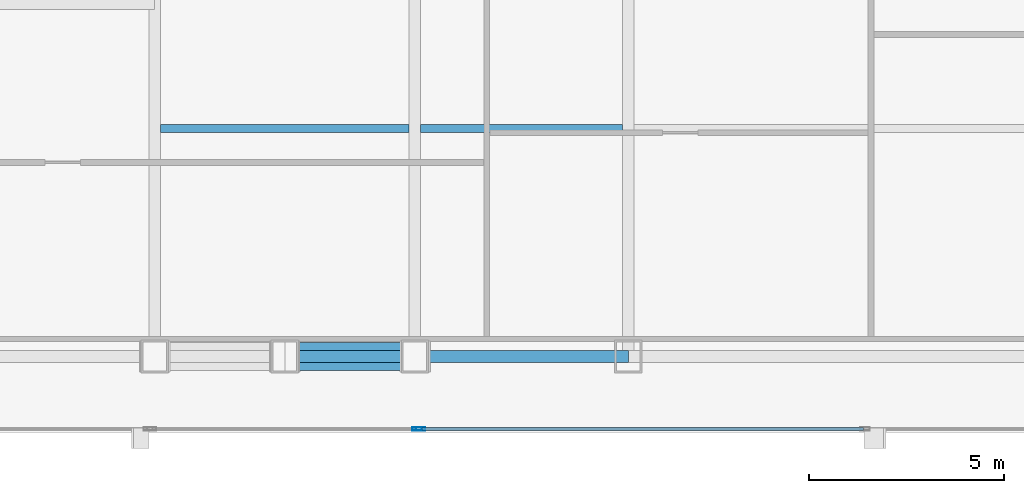
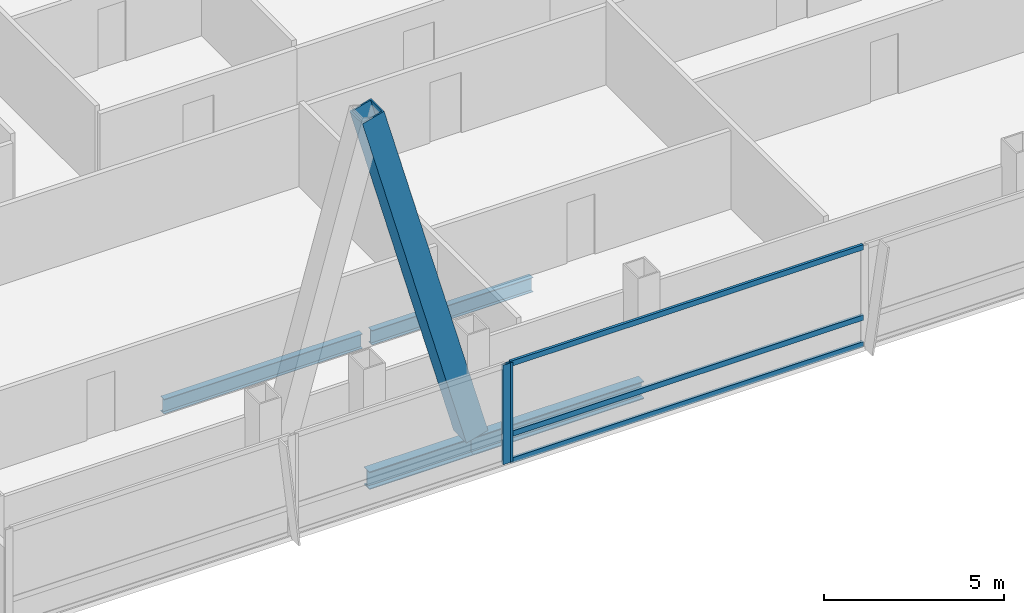
# One storey, part 8 of 31: 6 members, 4 beams, 2 elements without a shape of their own.
"""IFC4 building model written with IfcOpenShell, lengths in metres."""

from ifc_helpers import new_model, si_unit, direction, frame, origin, origin_2d, place, context, subcontext, project, spatial, hollow_rectangle, i_section, extrude, material, material_profile, profile_set, type_object, element, aggregate, save


model = new_model("IFC4")

# Units and contexts
model_context = context("Model", 3, precision=1e-05, world=origin(), true_north=direction((0.0, 1.0)))
body_context = subcontext(model_context, "Body", "Model", "MODEL_VIEW")
ifc_project = project(units=[si_unit("LENGTHUNIT", "METRE"), si_unit("AREAUNIT", "SQUARE_METRE"), si_unit("VOLUMEUNIT", "CUBIC_METRE"), si_unit("PLANEANGLEUNIT", "RADIAN"), si_unit("MASSUNIT", "GRAM", prefix="KILO")], contexts=[model_context])

# Site, building, storey
site_placement = place(None, origin())
site = spatial("IfcSite", under=ifc_project, at=site_placement, CompositionType="ELEMENT")
building_placement = place(site_placement, origin())
building = spatial("IfcBuilding", under=site, at=building_placement, Name="Khoronbel Lancet Exchange", CompositionType="ELEMENT")
storey_placement = place(building_placement, frame((0.0, 0.0, 168.60009765625)))
storey = spatial("IfcBuildingStorey", under=building, at=storey_placement, Name="L42", CompositionType="ELEMENT", Elevation=168.60009765625)

# Beams
ifc_material_1 = material(Name="Steel S355", Category="steel")
ifc_material_profile_1 = material_profile(ifc_material_1, i_section(OverallWidth=0.199951171875, OverallDepth=0.5, WebThickness=0.01025390625, FlangeThickness=0.01611328125, at=origin_2d()), Name="IPE 500")
ifc_profile_set_1 = profile_set([ifc_material_profile_1], Name="Steel S355")
beam_type_1 = type_object("IfcBeamType", Name="BM-BJ3", PredefinedType="JOIST", material=ifc_profile_set_1)
beam_1_placement = place(storey_placement, frame((18.375, 16.0, -0.41015625), z_axis=(1.0, 0.0, 0.0), x_axis=(0.0, 1.0, 0.0)))
element("IfcBeam", 1, at=beam_1_placement, inside=storey, type_object=beam_type_1, Name="Level L42 secondary composite joist J01", PredefinedType="JOIST", context=body_context, shape_type="SweptSolid", body=[
    extrude(i_section(OverallWidth=0.199951171875, OverallDepth=0.5, WebThickness=0.01025390625, FlangeThickness=0.01611328125, at=origin_2d()), origin(), (0.0, 0.0, 1.0), 6.375),
])
beam_2_placement = place(storey_placement, frame((25.050048828125, 16.0, -0.41015625), z_axis=(1.0, 0.0, 0.0), x_axis=(0.0, 1.0, 0.0)))
element("IfcBeam", 2, at=beam_2_placement, inside=storey, type_object=beam_type_1, Name="Level L42 secondary composite joist J02", PredefinedType="JOIST", context=body_context, shape_type="SweptSolid", body=[
    extrude(i_section(OverallWidth=0.199951171875, OverallDepth=0.5, WebThickness=0.01025390625, FlangeThickness=0.01611328125, at=origin_2d()), origin(), (0.0, 0.0, 1.0), 5.175048828125),
])
ifc_material_profile_2 = material_profile(ifc_material_1, i_section(OverallWidth=0.300048828125, OverallDepth=0.60009765625, WebThickness=0.015380859375, FlangeThickness=0.030029296875, at=origin_2d()), Name="HEB 600")
ifc_profile_set_2 = profile_set([ifc_material_profile_2], Name="Steel S355")
beam_type_2 = type_object("IfcBeamType", Name="BM-BSP2", PredefinedType="SPANDREL", material=ifc_profile_set_2)
beam_3_placement = place(storey_placement, frame((21.5625, 10.14990234375, -0.460205078125), z_axis=(1.0, 0.0, 0.0), x_axis=(0.0, 1.0, 0.0)))
element("IfcBeam", 3, at=beam_3_placement, inside=storey, type_object=beam_type_2, Name="Level L42 perimeter spandrel beam SP03", PredefinedType="SPANDREL", context=body_context, shape_type="SweptSolid", body=[
    extrude(i_section(OverallWidth=0.300048828125, OverallDepth=0.60009765625, WebThickness=0.015380859375, FlangeThickness=0.030029296875, at=origin_2d()), origin(), (0.0, 0.0, 1.0), 3.33740234375),
])
beam_4_placement = place(storey_placement, frame((24.89990234375, 10.14990234375, -0.460205078125), z_axis=(1.0, 0.0, 0.0), x_axis=(0.0, 1.0, 0.0)))
element("IfcBeam", 4, at=beam_4_placement, inside=storey, type_object=beam_type_2, Name="Level L42 perimeter spandrel beam SP04", PredefinedType="SPANDREL", context=body_context, shape_type="SweptSolid", body=[
    extrude(i_section(OverallWidth=0.300048828125, OverallDepth=0.60009765625, WebThickness=0.015380859375, FlangeThickness=0.030029296875, at=origin_2d()), origin(), (0.0, 0.0, 1.0), 5.47509765625),
])

# Curtain wall, member
ifc_material_2 = material(Name="Low-E Solar Control Insulating Glass", Category="glass")
curtain_wall_type = type_object("IfcCurtainWallType", Name="CW-3", PredefinedType="NOTDEFINED", material=ifc_material_2)
curtain_wall_1_placement = place(storey_placement, origin())
curtain_wall_1 = element("IfcCurtainWall", 5, at=curtain_wall_1_placement, inside=storey, type_object=curtain_wall_type, Name="Unitised curtain wall CW-L42-SWB", PredefinedType="NOTDEFINED")
ifc_material_3 = material(Name="Bronze-Anodised Aluminium 6063-T6", Category="aluminium")
ifc_material_profile_3 = material_profile(ifc_material_3, hollow_rectangle(XDim=0.0849609375, YDim=0.239990234375, WallThickness=0.006103515625, at=origin_2d()), Name="ALU MULLION 85x240")
ifc_profile_set_3 = profile_set([ifc_material_profile_3], Name="Bronze-Anodised Aluminium 6063-T6")
member_type_1 = type_object("IfcMemberType", Name="MEM-CWM1", PredefinedType="MULLION", material=ifc_profile_set_3)
member_1_placement = place(storey_placement, frame((24.95751953125, 8.2900390625, 0.0), z_axis=(0.0, 0.0, 1.0), x_axis=(0.0, 1.0, 0.0)))
member_1 = element("IfcMember", 6, at=member_1_placement, type_object=member_type_1, Name="CW3 mullion 2", PredefinedType="MULLION", context=body_context, shape_type="SweptSolid", body=[
    extrude(hollow_rectangle(XDim=0.0849609375, YDim=0.239990234375, WallThickness=0.006103515625, at=origin_2d()), origin(), (0.0, 0.0, 1.0), 3.3798828125),
])
aggregate(curtain_wall_1, [member_1])

# Curtain wall, members
curtain_wall_2_placement = place(storey_placement, origin())
curtain_wall_2 = element("IfcCurtainWall", 7, at=curtain_wall_2_placement, inside=storey, type_object=curtain_wall_type, Name="Unitised curtain wall CW-L42-SCV", PredefinedType="NOTDEFINED")
member_2_placement = place(storey_placement, frame((25.04248046875, 8.2900390625, 0.0), z_axis=(0.0, 0.0, 1.0), x_axis=(0.0, 1.0, 0.0)))
member_2 = element("IfcMember", 8, at=member_2_placement, type_object=member_type_1, Name="CW3 mullion 1", PredefinedType="MULLION", context=body_context, shape_type="SweptSolid", body=[
    extrude(hollow_rectangle(XDim=0.0849609375, YDim=0.239990234375, WallThickness=0.006103515625, at=origin_2d()), origin(), (0.0, 0.0, 1.0), 3.3798828125),
])
ifc_material_profile_4 = material_profile(ifc_material_3, hollow_rectangle(XDim=0.0849609375, YDim=0.179931640625, WallThickness=0.0048828125, at=origin_2d()), Name="ALU TRANSOM 85x180")
ifc_profile_set_4 = profile_set([ifc_material_profile_4], Name="Bronze-Anodised Aluminium 6063-T6")
member_type_2 = type_object("IfcMemberType", Name="MEM-CWT1", PredefinedType="USERDEFINED", material=ifc_profile_set_4)
member_3_placement = place(storey_placement, frame((25.0849609375, 8.2900390625, 0.04248046875), z_axis=(1.0, 0.0, 0.0), x_axis=(0.0, 1.0, 0.0)))
member_3 = element("IfcMember", 9, at=member_3_placement, type_object=member_type_2, Name="CW3 transom 1.1", ObjectType="TRANSOM", PredefinedType="USERDEFINED", context=body_context, shape_type="SweptSolid", body=[
    extrude(hollow_rectangle(XDim=0.0849609375, YDim=0.179931640625, WallThickness=0.0048828125, at=origin_2d()), origin(), (0.0, 0.0, 1.0), 11.322509765625),
])
member_4_placement = place(storey_placement, frame((25.0849609375, 8.2900390625, 0.949951171875), z_axis=(1.0, 0.0, 0.0), x_axis=(0.0, 1.0, 0.0)))
member_4 = element("IfcMember", 10, at=member_4_placement, type_object=member_type_2, Name="CW3 transom 1.2", ObjectType="TRANSOM", PredefinedType="USERDEFINED", context=body_context, shape_type="SweptSolid", body=[
    extrude(hollow_rectangle(XDim=0.0849609375, YDim=0.179931640625, WallThickness=0.0048828125, at=origin_2d()), origin(), (0.0, 0.0, 1.0), 11.322509765625),
])
member_5_placement = place(storey_placement, frame((25.0849609375, 8.2900390625, 3.33740234375), z_axis=(1.0, 0.0, 0.0), x_axis=(0.0, 1.0, 0.0)))
member_5 = element("IfcMember", 11, at=member_5_placement, type_object=member_type_2, Name="CW3 transom 1.3", ObjectType="TRANSOM", PredefinedType="USERDEFINED", context=body_context, shape_type="SweptSolid", body=[
    extrude(hollow_rectangle(XDim=0.0849609375, YDim=0.179931640625, WallThickness=0.0048828125, at=origin_2d()), origin(), (0.0, 0.0, 1.0), 11.322509765625),
])
aggregate(curtain_wall_2, [member_2, member_3, member_4, member_5])

# Member
ifc_material_4 = material(Name="Steel S460", Category="steel")
ifc_material_profile_5 = material_profile(ifc_material_4, hollow_rectangle(XDim=0.719970703125, YDim=0.719970703125, WallThickness=0.050048828125, at=origin_2d()), Name="BOX 720x720x50")
ifc_profile_set_5 = profile_set([ifc_material_profile_5], Name="Steel S460")
member_type_3 = type_object("IfcMemberType", Name="MEM-MB2", PredefinedType="BRACE", material=ifc_profile_set_5)
member_6_placement = place(storey_placement, frame((24.89990234375, 10.14990234375, 0.0), z_axis=(-0.267947134133, 0.0, 0.963433616452), x_axis=(0.0, -1.0, 0.0)))
element("IfcMember", 12, at=member_6_placement, inside=storey, type_object=member_type_3, Name="Perimeter lancet brace tier 14 S-W-R", PredefinedType="BRACE", context=body_context, shape_type="SweptSolid", body=[
    extrude(hollow_rectangle(XDim=0.719970703125, YDim=0.719970703125, WallThickness=0.050048828125, at=origin_2d()), origin(), (0.0, 0.0, 1.0), 12.45556640625),
])

save(model, "model.ifc")
